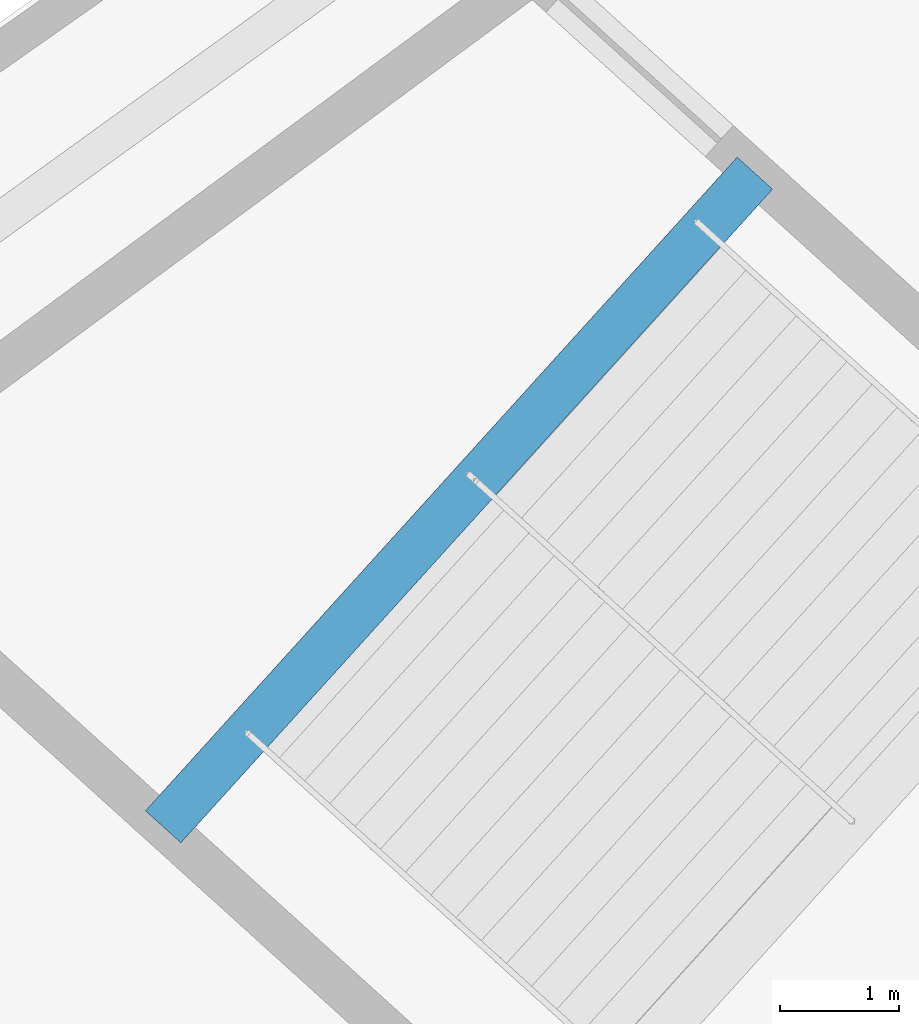
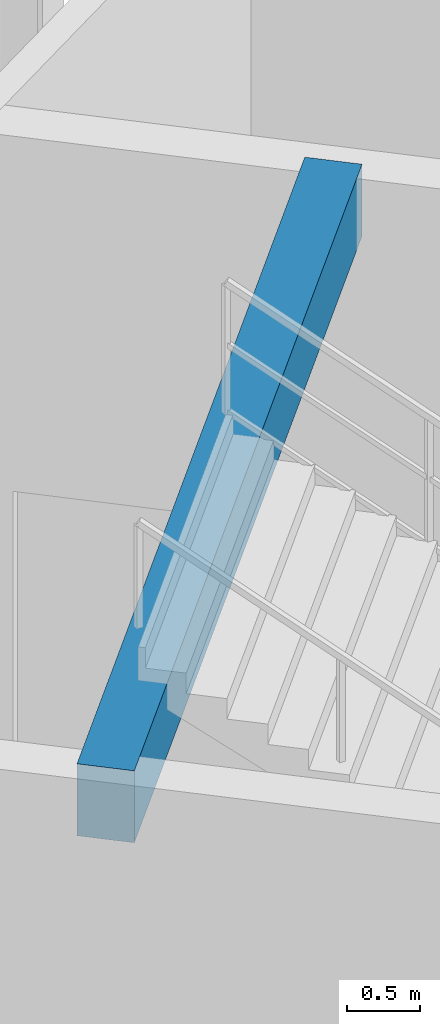
# One storey, part 13 of 86: 1 beam.
"""IFC4 building model written with IfcOpenShell, lengths in metres."""

from ifc_helpers import new_model, si_unit, direction, frame, origin, origin_2d, place, context, subcontext, project, spatial, rectangle, extrude, material, material_profile, profile_set, type_object, element, save


model = new_model("IFC4")

# Units and contexts
model_context = context("Model", 3, precision=1e-05, world=origin(), true_north=direction((0.0, 1.0)))
body_context = subcontext(model_context, "Body", "Model", "MODEL_VIEW")
ifc_project = project(units=[si_unit("LENGTHUNIT", "METRE"), si_unit("AREAUNIT", "SQUARE_METRE"), si_unit("VOLUMEUNIT", "CUBIC_METRE"), si_unit("PLANEANGLEUNIT", "RADIAN"), si_unit("MASSUNIT", "GRAM", prefix="KILO")], contexts=[model_context])

# Site, building, storey
site_placement = place(None, origin())
site = spatial("IfcSite", under=ifc_project, at=site_placement, CompositionType="ELEMENT")
building_placement = place(site_placement, origin())
building = spatial("IfcBuilding", under=site, at=building_placement, Name="Kazemori Nagisa Stadium", CompositionType="ELEMENT")
storey_placement = place(building_placement, frame((0.0, 0.0, 31.280029296875)))
storey = spatial("IfcBuildingStorey", under=building, at=storey_placement, Name="L06", CompositionType="ELEMENT", Elevation=31.280029296875)

# Beam
ifc_material = material(Name="Concrete C40/50 (Fc42)", Category="concrete")
ifc_material_profile = material_profile(ifc_material, rectangle(XDim=0.39990234375, YDim=0.60009765625, at=origin_2d()), Name="RC-BM-400x600")
ifc_profile_set = profile_set([ifc_material_profile], Name="Concrete C40/50 (Fc42)")
beam_type = type_object("IfcBeamType", Name="Beam_BG-LND400X600", PredefinedType="BEAM", material=ifc_profile_set)
beam_placement = place(storey_placement, frame((55.545654296875, 49.1318359375, 4.85986328125), z_axis=(-0.671129682405, -0.741339968837, 0.0), x_axis=(0.741339968837, -0.671129682405, 0.0)))
element("IfcBeam", 1, at=beam_placement, inside=storey, type_object=beam_type, Name="Core stair arrival header girder ST03-L06", PredefinedType="BEAM", context=body_context, shape_type="SweptSolid", body=[
    extrude(rectangle(XDim=0.39990234375, YDim=0.60009765625, at=origin_2d()), origin(), (0.0, 0.0, 1.0), 7.3857421875),
])

save(model, "model.ifc")
